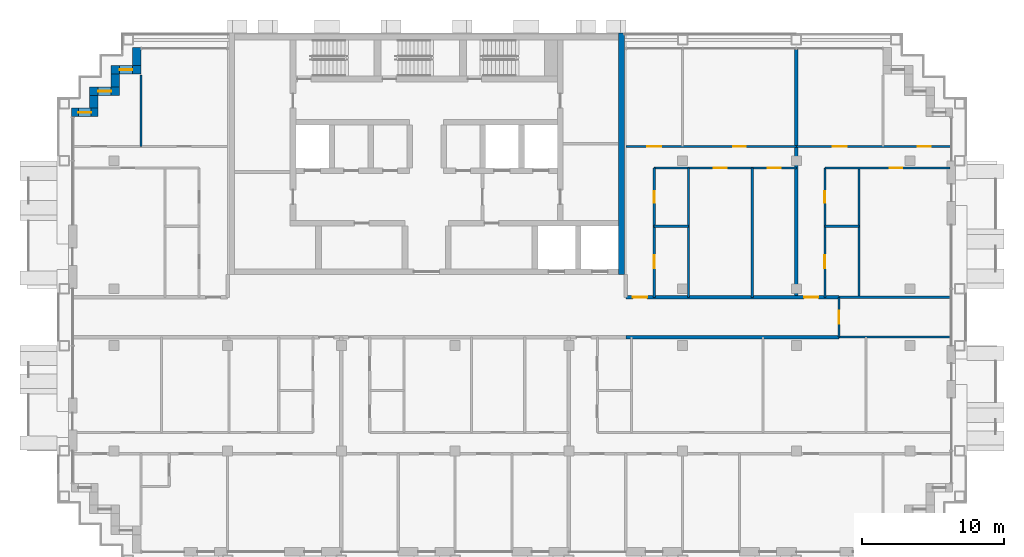
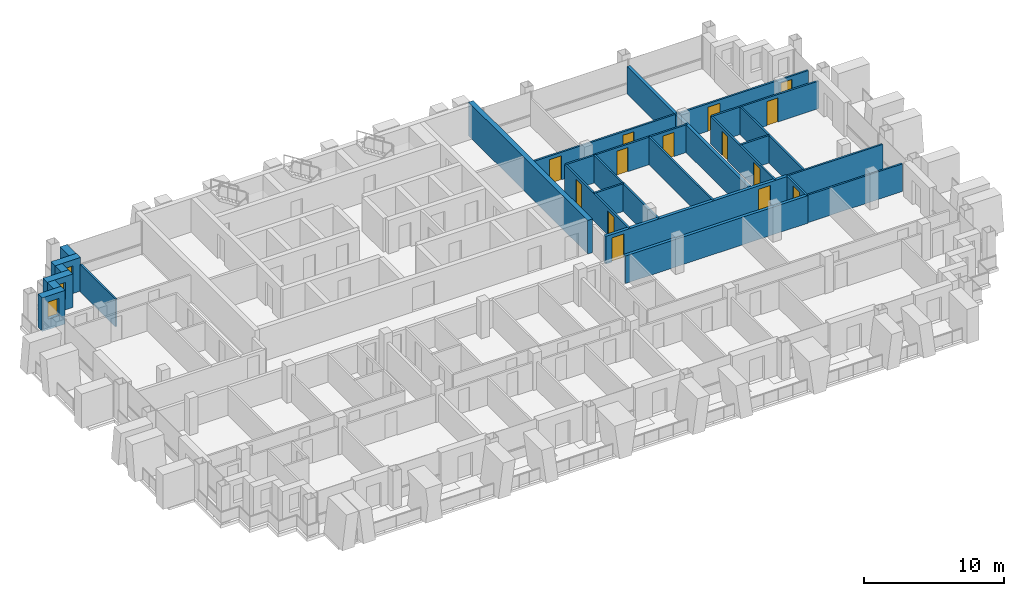
# One storey, part 11 of 16: 25 walls, 14 doors, 3 windows, 17 openings.
"""IFC4 building model written with IfcOpenShell, lengths in metres."""

from ifc_helpers import new_model, si_unit, direction, frame, frame_2d, origin, place, context, subcontext, project, spatial, rectangle, extrude, material, layer, layer_set, type_object, element, fill, save


model = new_model("IFC4")

# Units and contexts
model_context = context("Model", 3, precision=1e-05, world=origin(), true_north=direction((0.0, 1.0)))
body_context = subcontext(model_context, "Body", "Model", "MODEL_VIEW")
ifc_project = project(units=[si_unit("LENGTHUNIT", "METRE"), si_unit("AREAUNIT", "SQUARE_METRE"), si_unit("VOLUMEUNIT", "CUBIC_METRE"), si_unit("PLANEANGLEUNIT", "RADIAN"), si_unit("MASSUNIT", "GRAM", prefix="KILO")], contexts=[model_context])

# Site, building, storey
site_placement = place(None, origin())
site = spatial("IfcSite", under=ifc_project, at=site_placement, CompositionType="ELEMENT")
building_placement = place(site_placement, origin())
building = spatial("IfcBuilding", under=site, at=building_placement, Name="Vidyagriha Tower", CompositionType="ELEMENT")
storey_placement = place(building_placement, frame((0.0, 0.0, 165.300048828125)))
storey = spatial("IfcBuildingStorey", under=building, at=storey_placement, Name="L42", CompositionType="ELEMENT", Elevation=165.300048828125)

# Wall
ifc_material_1 = material(Name="Precast concrete C40/50 with brick facing", Category="concrete")
ifc_layer_1 = layer(ifc_material_1, 0.60009765625)
ifc_layer_set_1 = layer_set([ifc_layer_1], Name="Precast concrete C40/50 with brick facing")
wall_type_1 = type_object("IfcWallType", Name="Brick-faced precast wall 600", PredefinedType="STANDARD", material=ifc_layer_set_1)
wall_1_placement = place(storey_placement, frame((-20.39990234375, 18.97998046875, 0.0), z_axis=(0.0, 0.0, 1.0), x_axis=(0.0, -1.0, 0.0)))
element("IfcWall", 1, at=wall_1_placement, inside=storey, type_object=wall_type_1, Name="Stepped corner wall L42 R10", PredefinedType="STANDARD", context=body_context, shape_type="SweptSolid", body=[
    extrude(rectangle(XDim=1.280029296875, YDim=0.60009765625, at=frame_2d((0.64013671875, 0.0))), origin(), (0.0, 0.0, 1.0), 2.919921875),
])

# Wall, opening, window
wall_2_placement = place(storey_placement, frame((-20.10009765625, 17.39990234375, 0.0), z_axis=(0.0, 0.0, 1.0), x_axis=(-1.0, 0.0, 0.0)))
wall_2 = element("IfcWall", 2, at=wall_2_placement, inside=storey, type_object=wall_type_1, Name="Stepped corner wall L42 R11", PredefinedType="STANDARD", context=body_context, shape_type="SweptSolid", body=[
    extrude(rectangle(XDim=2.099853515625, YDim=0.60009765625, at=frame_2d((1.0498046875, 0.0))), origin(), (0.0, 0.0, 1.0), 2.919921875),
])
opening_1_placement = place(wall_2_placement, frame((0.60009765625, 0.0, 0.89990234375)))
opening_1 = element("IfcOpeningElement", 3, at=opening_1_placement, cuts=wall_2, Name="Opening WN1", PredefinedType="OPENING", context=body_context, shape_type="SweptSolid", body=[
    extrude(rectangle(XDim=0.89990234375, YDim=1.5, at=frame_2d((0.449951171875, 0.75))), frame((0.0, 0.31005859375, 0.0), z_axis=(0.0, -1.0, 0.0), x_axis=(1.0, 0.0, 0.0)), (0.0, 0.0, 1.0), 0.6201171875),
])
ifc_material_2 = material(Name="Aluminium and glass window", Category="aluminium")
window_type = type_object("IfcWindowType", Name="Reveal window 900x1500", PartitioningType="NOTDEFINED", PredefinedType="WINDOW", material=ifc_material_2)
window_1_placement = place(opening_1_placement, origin())
window_1 = element("IfcWindow", 4, at=window_1_placement, inside=storey, type_object=window_type, Name="Reveal window L42 R11", OverallHeight=1.5, OverallWidth=0.89990234375, PartitioningType="SINGLE_PANEL", PredefinedType="WINDOW", context=body_context, shape_type="SweptSolid", body=[
    extrude(rectangle(XDim=0.89990234375, YDim=1.5, at=frame_2d((0.449951171875, 0.75))), frame((0.0, 0.030029296875, 0.0), z_axis=(0.0, -1.0, 0.0), x_axis=(1.0, 0.0, 0.0)), (0.0, 0.0, 1.0), 0.06005859375),
])
fill(opening_1, window_1)

# Wall
wall_3_placement = place(storey_placement, frame((-21.89990234375, 17.10009765625, 0.0), z_axis=(0.0, 0.0, 1.0), x_axis=(0.0, -1.0, 0.0)))
element("IfcWall", 5, at=wall_3_placement, inside=storey, type_object=wall_type_1, Name="Stepped corner wall L42 R12", PredefinedType="STANDARD", context=body_context, shape_type="SweptSolid", body=[
    extrude(rectangle(XDim=0.900146484375, YDim=0.60009765625, at=frame_2d((0.4501953125, 0.0))), origin(), (0.0, 0.0, 1.0), 2.919921875),
])

# Wall, opening, window
wall_4_placement = place(storey_placement, frame((-21.60009765625, 15.89990234375, 0.0), z_axis=(0.0, 0.0, 1.0), x_axis=(-1.0, 0.0, 0.0)))
wall_4 = element("IfcWall", 6, at=wall_4_placement, inside=storey, type_object=wall_type_1, Name="Stepped corner wall L42 R13", PredefinedType="STANDARD", context=body_context, shape_type="SweptSolid", body=[
    extrude(rectangle(XDim=2.099853515625, YDim=0.60009765625, at=frame_2d((1.0498046875, 0.0))), origin(), (0.0, 0.0, 1.0), 2.919921875),
])
opening_2_placement = place(wall_4_placement, frame((0.60009765625, 0.0, 0.89990234375)))
opening_2 = element("IfcOpeningElement", 7, at=opening_2_placement, cuts=wall_4, Name="Opening WN1", PredefinedType="OPENING", context=body_context, shape_type="SweptSolid", body=[
    extrude(rectangle(XDim=0.89990234375, YDim=1.5, at=frame_2d((0.449951171875, 0.75))), frame((0.0, 0.31005859375, 0.0), z_axis=(0.0, -1.0, 0.0), x_axis=(1.0, 0.0, 0.0)), (0.0, 0.0, 1.0), 0.6201171875),
])
window_2_placement = place(opening_2_placement, origin())
window_2 = element("IfcWindow", 8, at=window_2_placement, inside=storey, type_object=window_type, Name="Reveal window L42 R13", OverallHeight=1.5, OverallWidth=0.89990234375, PartitioningType="SINGLE_PANEL", PredefinedType="WINDOW", context=body_context, shape_type="SweptSolid", body=[
    extrude(rectangle(XDim=0.89990234375, YDim=1.5, at=frame_2d((0.449951171875, 0.75))), frame((0.0, 0.030029296875, 0.0), z_axis=(0.0, -1.0, 0.0), x_axis=(1.0, 0.0, 0.0)), (0.0, 0.0, 1.0), 0.06005859375),
])
fill(opening_2, window_2)

# Wall
wall_5_placement = place(storey_placement, frame((-23.39990234375, 15.60009765625, 0.0), z_axis=(0.0, 0.0, 1.0), x_axis=(0.0, -1.0, 0.0)))
element("IfcWall", 9, at=wall_5_placement, inside=storey, type_object=wall_type_1, Name="Stepped corner wall L42 R14", PredefinedType="STANDARD", context=body_context, shape_type="SweptSolid", body=[
    extrude(rectangle(XDim=0.900146484375, YDim=0.60009765625, at=frame_2d((0.4501953125, 0.0))), origin(), (0.0, 0.0, 1.0), 2.919921875),
])

# Wall, opening, window
wall_6_placement = place(storey_placement, frame((-23.10009765625, 14.39990234375, 0.0), z_axis=(0.0, 0.0, 1.0), x_axis=(-1.0, 0.0, 0.0)))
wall_6 = element("IfcWall", 10, at=wall_6_placement, inside=storey, type_object=wall_type_1, Name="Stepped corner wall L42 R15", PredefinedType="STANDARD", context=body_context, shape_type="SweptSolid", body=[
    extrude(rectangle(XDim=1.8798828125, YDim=0.60009765625, at=frame_2d((0.93994140625, 0.0))), origin(), (0.0, 0.0, 1.0), 2.919921875),
])
opening_3_placement = place(wall_6_placement, frame((0.489990234375, 0.0, 0.89990234375)))
opening_3 = element("IfcOpeningElement", 11, at=opening_3_placement, cuts=wall_6, Name="Opening WN1", PredefinedType="OPENING", context=body_context, shape_type="SweptSolid", body=[
    extrude(rectangle(XDim=0.89990234375, YDim=1.5, at=frame_2d((0.449951171875, 0.75))), frame((0.0, 0.31005859375, 0.0), z_axis=(0.0, -1.0, 0.0), x_axis=(1.0, 0.0, 0.0)), (0.0, 0.0, 1.0), 0.6201171875),
])
window_3_placement = place(opening_3_placement, origin())
window_3 = element("IfcWindow", 12, at=window_3_placement, inside=storey, type_object=window_type, Name="Reveal window L42 R15", OverallHeight=1.5, OverallWidth=0.89990234375, PartitioningType="SINGLE_PANEL", PredefinedType="WINDOW", context=body_context, shape_type="SweptSolid", body=[
    extrude(rectangle(XDim=0.89990234375, YDim=1.5, at=frame_2d((0.449951171875, 0.75))), frame((0.0, 0.030029296875, 0.0), z_axis=(0.0, -1.0, 0.0), x_axis=(1.0, 0.0, 0.0)), (0.0, 0.0, 1.0), 0.06005859375),
])
fill(opening_3, window_3)

# Walls
ifc_material_3 = material(Name="Concrete C60/75", Category="concrete")
ifc_layer_2 = layer(ifc_material_3, 0.39990234375)
ifc_layer_set_2 = layer_set([ifc_layer_2], Name="Concrete C60/75")
wall_type_2 = type_object("IfcWallType", Name="Core shear wall 400 mm", PredefinedType="SHEAR", material=ifc_layer_set_2)
wall_7_placement = place(storey_placement, frame((13.699951171875, 3.0, 0.0), z_axis=(0.0, 0.0, 1.0), x_axis=(0.0, 1.0, 0.0)))
element("IfcWall", 13, at=wall_7_placement, inside=storey, type_object=wall_type_2, Name="Core east wall", PredefinedType="SHEAR", context=body_context, shape_type="SweptSolid", body=[
    extrude(rectangle(XDim=17.0, YDim=0.39990234375, at=frame_2d((8.5, 0.0))), origin(), (0.0, 0.0, 1.0), 2.919921875),
])
ifc_material_4 = material(Name="Fired clay brick masonry", Category="masonry")
ifc_layer_3 = layer(ifc_material_4, 0.25)
ifc_layer_set_3 = layer_set([ifc_layer_3], Name="Fired clay brick masonry")
wall_type_3 = type_object("IfcWallType", Name="Fired clay brick corridor wall 250", PredefinedType="PARTITIONING", material=ifc_layer_set_3)
wall_8_placement = place(storey_placement, frame((29.0, -1.39990234375, 0.0), z_axis=(0.0, 0.0, 1.0), x_axis=(-1.0, 0.0, 0.0)))
element("IfcWall", 14, at=wall_8_placement, inside=storey, type_object=wall_type_3, Name="Wall all-L42-w067", PredefinedType="PARTITIONING", context=body_context, shape_type="SweptSolid", body=[
    extrude(rectangle(XDim=15.0, YDim=0.25, at=frame_2d((7.5, 0.0))), origin(), (0.0, 0.0, 1.0), 2.39990234375),
])

# Wall, openings, doors
wall_9_placement = place(storey_placement, frame((14.0, 1.39990234375, 0.0)))
wall_9 = element("IfcWall", 15, at=wall_9_placement, inside=storey, type_object=wall_type_3, Name="Wall all-L42-w109", PredefinedType="PARTITIONING", context=body_context, shape_type="SweptSolid", body=[
    extrude(rectangle(XDim=15.0, YDim=0.25, at=frame_2d((7.5, 0.0))), origin(), (0.0, 0.0, 1.0), 2.39990234375),
])
opening_4_placement = place(wall_9_placement, frame((0.5, 0.0, 0.0)))
opening_4 = element("IfcOpeningElement", 16, at=opening_4_placement, cuts=wall_9, Name="Opening D42-58", PredefinedType="OPENING", context=body_context, shape_type="SweptSolid", body=[
    extrude(rectangle(XDim=1.0, YDim=2.10009765625, at=frame_2d((0.5, 1.050048828125))), frame((0.0, 0.135009765625, 0.0), z_axis=(0.0, -1.0, 0.0), x_axis=(1.0, 0.0, 0.0)), (0.0, 0.0, 1.0), 0.27001953125),
])
opening_5_placement = place(wall_9_placement, frame((12.547119140625, 0.0, 0.0)))
opening_5 = element("IfcOpeningElement", 17, at=opening_5_placement, cuts=wall_9, Name="Opening D42-64", PredefinedType="OPENING", context=body_context, shape_type="SweptSolid", body=[
    extrude(rectangle(XDim=1.0, YDim=2.10009765625, at=frame_2d((0.5, 1.050048828125))), frame((0.0, 0.135009765625, 0.0), z_axis=(0.0, -1.0, 0.0), x_axis=(1.0, 0.0, 0.0)), (0.0, 0.0, 1.0), 0.27001953125),
])
ifc_material_5 = material(Name="Fire-rated timber door leaf EI 60", Category="wood")
door_type_1 = type_object("IfcDoorType", Name="Flat entrance fire door 1000x2100", OperationType="NOTDEFINED", PredefinedType="DOOR", material=ifc_material_5)
door_1_placement = place(opening_4_placement, origin())
door_1 = element("IfcDoor", 18, at=door_1_placement, inside=storey, type_object=door_type_1, Name="Door D42-58", OperationType="SINGLE_SWING_LEFT", OverallHeight=2.10009765625, OverallWidth=1.0, PredefinedType="DOOR", context=body_context, shape_type="SweptSolid", body=[
    extrude(rectangle(XDim=1.0, YDim=2.10009765625, at=frame_2d((0.5, 1.050048828125))), frame((0.0, 0.02490234375, 0.0), z_axis=(0.0, -1.0, 0.0), x_axis=(1.0, 0.0, 0.0)), (0.0, 0.0, 1.0), 0.050048828125),
])
fill(opening_4, door_1)
door_2_placement = place(opening_5_placement, origin())
door_2 = element("IfcDoor", 19, at=door_2_placement, inside=storey, type_object=door_type_1, Name="Door D42-64", OperationType="SINGLE_SWING_LEFT", OverallHeight=2.10009765625, OverallWidth=1.0, PredefinedType="DOOR", context=body_context, shape_type="SweptSolid", body=[
    extrude(rectangle(XDim=1.0, YDim=2.10009765625, at=frame_2d((0.5, 1.050048828125))), frame((0.0, 0.02490234375, 0.0), z_axis=(0.0, -1.0, 0.0), x_axis=(1.0, 0.0, 0.0)), (0.0, 0.0, 1.0), 0.050048828125),
])
fill(opening_5, door_2)

# Walls
ifc_material_6 = material(Name="Fired clay brick masonry", Category="masonry")
ifc_layer_4 = layer(ifc_material_6, 0.25)
ifc_layer_set_4 = layer_set([ifc_layer_4], Name="Fired clay brick masonry")
wall_type_4 = type_object("IfcWallType", Name="Fired clay brick demising wall 250", PredefinedType="PARTITIONING", material=ifc_layer_set_4)
wall_10_placement = place(storey_placement, frame((26.0, 18.821044921875, 0.0), z_axis=(0.0, 0.0, 1.0), x_axis=(0.0, -1.0, 0.0)))
element("IfcWall", 20, at=wall_10_placement, inside=storey, type_object=wall_type_4, Name="Wall all-L42-w108", PredefinedType="PARTITIONING", context=body_context, shape_type="SweptSolid", body=[
    extrude(rectangle(XDim=17.421142578125, YDim=0.25, at=frame_2d((8.71044921875, 0.0))), origin(), (0.0, 0.0, 1.0), 2.39990234375),
])
ifc_material_7 = material(Name="Gypsum board partition")
ifc_layer_5 = layer(ifc_material_7, 0.14990234375)
ifc_layer_set_5 = layer_set([ifc_layer_5], Name="Gypsum board partition")
wall_type_5 = type_object("IfcWallType", Name="Gypsum board partition 150", PredefinedType="PARTITIONING", material=ifc_layer_set_5)
wall_11_placement = place(storey_placement, frame((36.820068359375, -1.39990234375, 0.0), z_axis=(0.0, 0.0, 1.0), x_axis=(-1.0, 0.0, 0.0)))
element("IfcWall", 21, at=wall_11_placement, inside=storey, type_object=wall_type_5, Name="Wall all-L42-w068", PredefinedType="PARTITIONING", context=body_context, shape_type="SweptSolid", body=[
    extrude(rectangle(XDim=7.820068359375, YDim=0.14990234375, at=frame_2d((3.91015625, 0.0))), origin(), (0.0, 0.0, 1.0), 2.39990234375),
])
wall_12_placement = place(storey_placement, frame((-20.10009765625, 17.02001953125, 0.0), z_axis=(0.0, 0.0, 1.0), x_axis=(0.0, -1.0, 0.0)))
element("IfcWall", 22, at=wall_12_placement, inside=storey, type_object=wall_type_5, Name="Wall all-L42-w079", PredefinedType="PARTITIONING", context=body_context, shape_type="SweptSolid", body=[
    extrude(rectangle(XDim=5.02001953125, YDim=0.14990234375, at=frame_2d((2.510009765625, 0.0))), origin(), (0.0, 0.0, 1.0), 2.39990234375),
])
wall_13_placement = place(storey_placement, frame((16.0, 6.39990234375, 0.0)))
element("IfcWall", 23, at=wall_13_placement, inside=storey, type_object=wall_type_5, Name="Wall all-L42-w085", PredefinedType="PARTITIONING", context=body_context, shape_type="SweptSolid", body=[
    extrude(rectangle(XDim=2.39990234375, YDim=0.14990234375, at=frame_2d((1.199951171875, 0.0))), origin(), (0.0, 0.0, 1.0), 2.39990234375),
])
for number, where, z_axis, x_axis, name in (
    (24, (18.39990234375, 10.5, 0.0), (0.0, 0.0, 1.0), (0.0, -1.0, 0.0), "Wall all-L42-w086"),
    (25, (22.89990234375, 10.5, 0.0), (0.0, 0.0, 1.0), (0.0, -1.0, 0.0), "Wall all-L42-w087"),
):
    element("IfcWall", number, at=place(storey_placement, frame(where, z_axis=z_axis, x_axis=x_axis)), inside=storey, type_object=wall_type_5, Name=name, PredefinedType="PARTITIONING", context=body_context, shape_type="SweptSolid", body=[
        extrude(rectangle(XDim=9.10009765625, YDim=0.14990234375, at=frame_2d((4.550048828125, 0.0))), origin(), (0.0, 0.0, 1.0), 2.39990234375),
    ])

# Wall, openings, doors
wall_14_placement = place(storey_placement, frame((26.0, 10.5, 0.0), z_axis=(0.0, 0.0, 1.0), x_axis=(-1.0, 0.0, 0.0)))
wall_14 = element("IfcWall", 26, at=wall_14_placement, inside=storey, type_object=wall_type_5, Name="Wall all-L42-w088", PredefinedType="PARTITIONING", context=body_context, shape_type="SweptSolid", body=[
    extrude(rectangle(XDim=10.0, YDim=0.14990234375, at=frame_2d((5.0, 0.0))), origin(), (0.0, 0.0, 1.0), 2.39990234375),
])
opening_6_placement = place(wall_14_placement, frame((4.89990234375, 0.0, 0.0)))
opening_6 = element("IfcOpeningElement", 27, at=opening_6_placement, cuts=wall_14, Name="Opening D42-54", PredefinedType="OPENING", context=body_context, shape_type="SweptSolid", body=[
    extrude(rectangle(XDim=0.89990234375, YDim=2.10009765625, at=frame_2d((0.449951171875, 1.050048828125))), frame((0.0, 0.0849609375, 0.0), z_axis=(0.0, -1.0, 0.0), x_axis=(1.0, 0.0, 0.0)), (0.0, 0.0, 1.0), 0.169921875),
])
opening_7_placement = place(wall_14_placement, frame((1.10009765625, 0.0, 0.0)))
opening_7 = element("IfcOpeningElement", 28, at=opening_7_placement, cuts=wall_14, Name="Opening D42-55", PredefinedType="OPENING", context=body_context, shape_type="SweptSolid", body=[
    extrude(rectangle(XDim=0.89990234375, YDim=2.10009765625, at=frame_2d((0.449951171875, 1.050048828125))), frame((0.0, 0.0849609375, 0.0), z_axis=(0.0, -1.0, 0.0), x_axis=(1.0, 0.0, 0.0)), (0.0, 0.0, 1.0), 0.169921875),
])
ifc_material_8 = material(Name="Timber door leaf", Category="wood")
door_type_2 = type_object("IfcDoorType", Name="Room door 900x2100", OperationType="NOTDEFINED", PredefinedType="DOOR", material=ifc_material_8)
door_3_placement = place(opening_6_placement, origin())
door_3 = element("IfcDoor", 29, at=door_3_placement, inside=storey, type_object=door_type_2, Name="Door D42-54", OperationType="SINGLE_SWING_RIGHT", OverallHeight=2.10009765625, OverallWidth=0.89990234375, PredefinedType="DOOR", context=body_context, shape_type="SweptSolid", body=[
    extrude(rectangle(XDim=0.89990234375, YDim=2.10009765625, at=frame_2d((0.449951171875, 1.050048828125))), frame((0.0, 0.02490234375, 0.0), z_axis=(0.0, -1.0, 0.0), x_axis=(1.0, 0.0, 0.0)), (0.0, 0.0, 1.0), 0.050048828125),
])
fill(opening_6, door_3)
door_4_placement = place(opening_7_placement, origin())
door_4 = element("IfcDoor", 30, at=door_4_placement, inside=storey, type_object=door_type_2, Name="Door D42-55", OperationType="SINGLE_SWING_RIGHT", OverallHeight=2.10009765625, OverallWidth=0.89990234375, PredefinedType="DOOR", context=body_context, shape_type="SweptSolid", body=[
    extrude(rectangle(XDim=0.89990234375, YDim=2.10009765625, at=frame_2d((0.449951171875, 1.050048828125))), frame((0.0, 0.02490234375, 0.0), z_axis=(0.0, -1.0, 0.0), x_axis=(1.0, 0.0, 0.0)), (0.0, 0.0, 1.0), 0.050048828125),
])
fill(opening_7, door_4)

wall_15_placement = place(storey_placement, frame((14.0, 12.0, 0.0)))
wall_15 = element("IfcWall", 31, at=wall_15_placement, inside=storey, type_object=wall_type_5, Name="Wall all-L42-w091", PredefinedType="PARTITIONING", context=body_context, shape_type="SweptSolid", body=[
    extrude(rectangle(XDim=12.0, YDim=0.14990234375, at=frame_2d((6.0, 0.0))), origin(), (0.0, 0.0, 1.0), 2.39990234375),
])
opening_8_placement = place(wall_15_placement, frame((1.5, 0.0, 0.0)))
opening_8 = element("IfcOpeningElement", 32, at=opening_8_placement, cuts=wall_15, Name="Opening D42-56", PredefinedType="OPENING", context=body_context, shape_type="SweptSolid", body=[
    extrude(rectangle(XDim=1.0, YDim=2.10009765625, at=frame_2d((0.5, 1.050048828125))), frame((0.0, 0.0849609375, 0.0), z_axis=(0.0, -1.0, 0.0), x_axis=(1.0, 0.0, 0.0)), (0.0, 0.0, 1.0), 0.169921875),
])
opening_9_placement = place(wall_15_placement, frame((7.550048828125, 0.0, 0.0)))
opening_9 = element("IfcOpeningElement", 33, at=opening_9_placement, cuts=wall_15, Name="Opening D42-57", PredefinedType="OPENING", context=body_context, shape_type="SweptSolid", body=[
    extrude(rectangle(XDim=0.89990234375, YDim=2.10009765625, at=frame_2d((0.449951171875, 1.050048828125))), frame((0.0, 0.0849609375, 0.0), z_axis=(0.0, -1.0, 0.0), x_axis=(1.0, 0.0, 0.0)), (0.0, 0.0, 1.0), 0.169921875),
])
ifc_material_9 = material(Name="Timber door leaf", Category="wood")
door_type_3 = type_object("IfcDoorType", Name="Room door 1000x2100", OperationType="NOTDEFINED", PredefinedType="DOOR", material=ifc_material_9)
door_5_placement = place(opening_8_placement, origin())
door_5 = element("IfcDoor", 34, at=door_5_placement, inside=storey, type_object=door_type_3, Name="Door D42-56", OperationType="SINGLE_SWING_RIGHT", OverallHeight=2.10009765625, OverallWidth=1.0, PredefinedType="DOOR", context=body_context, shape_type="SweptSolid", body=[
    extrude(rectangle(XDim=1.0, YDim=2.10009765625, at=frame_2d((0.5, 1.050048828125))), frame((0.0, 0.02490234375, 0.0), z_axis=(0.0, -1.0, 0.0), x_axis=(1.0, 0.0, 0.0)), (0.0, 0.0, 1.0), 0.050048828125),
])
fill(opening_8, door_5)
door_6_placement = place(opening_9_placement, origin())
door_6 = element("IfcDoor", 35, at=door_6_placement, inside=storey, type_object=door_type_2, Name="Door D42-57", OperationType="SINGLE_SWING_RIGHT", OverallHeight=2.10009765625, OverallWidth=0.89990234375, PredefinedType="DOOR", context=body_context, shape_type="SweptSolid", body=[
    extrude(rectangle(XDim=0.89990234375, YDim=2.10009765625, at=frame_2d((0.449951171875, 1.050048828125))), frame((0.0, 0.02490234375, 0.0), z_axis=(0.0, -1.0, 0.0), x_axis=(1.0, 0.0, 0.0)), (0.0, 0.0, 1.0), 0.050048828125),
])
fill(opening_9, door_6)

# Walls
wall_16_placement = place(storey_placement, frame((28.0, 6.39990234375, 0.0)))
element("IfcWall", 36, at=wall_16_placement, inside=storey, type_object=wall_type_5, Name="Wall all-L42-w099", PredefinedType="PARTITIONING", context=body_context, shape_type="SweptSolid", body=[
    extrude(rectangle(XDim=2.39990234375, YDim=0.14990234375, at=frame_2d((1.199951171875, 0.0))), origin(), (0.0, 0.0, 1.0), 2.39990234375),
])
wall_17_placement = place(storey_placement, frame((30.39990234375, 10.5, 0.0), z_axis=(0.0, 0.0, 1.0), x_axis=(0.0, -1.0, 0.0)))
element("IfcWall", 37, at=wall_17_placement, inside=storey, type_object=wall_type_5, Name="Wall all-L42-w100", PredefinedType="PARTITIONING", context=body_context, shape_type="SweptSolid", body=[
    extrude(rectangle(XDim=9.10009765625, YDim=0.14990234375, at=frame_2d((4.550048828125, 0.0))), origin(), (0.0, 0.0, 1.0), 2.39990234375),
])

# Wall, opening, door
wall_18_placement = place(storey_placement, frame((36.81005859375, 10.5, 0.0), z_axis=(0.0, 0.0, 1.0), x_axis=(-1.0, 0.0, 0.0)))
wall_18 = element("IfcWall", 38, at=wall_18_placement, inside=storey, type_object=wall_type_5, Name="Wall all-L42-w101", PredefinedType="PARTITIONING", context=body_context, shape_type="SweptSolid", body=[
    extrude(rectangle(XDim=8.81005859375, YDim=0.14990234375, at=frame_2d((4.405029296875, 0.0))), origin(), (0.0, 0.0, 1.0), 2.39990234375),
])
opening_10_placement = place(wall_18_placement, frame((3.35693359375, 0.0, 0.0)))
opening_10 = element("IfcOpeningElement", 39, at=opening_10_placement, cuts=wall_18, Name="Opening D42-61", PredefinedType="OPENING", context=body_context, shape_type="SweptSolid", body=[
    extrude(rectangle(XDim=0.89990234375, YDim=2.10009765625, at=frame_2d((0.449951171875, 1.050048828125))), frame((0.0, 0.0849609375, 0.0), z_axis=(0.0, -1.0, 0.0), x_axis=(1.0, 0.0, 0.0)), (0.0, 0.0, 1.0), 0.169921875),
])
door_7_placement = place(opening_10_placement, origin())
door_7 = element("IfcDoor", 40, at=door_7_placement, inside=storey, type_object=door_type_2, Name="Door D42-61", OperationType="SINGLE_SWING_RIGHT", OverallHeight=2.10009765625, OverallWidth=0.89990234375, PredefinedType="DOOR", context=body_context, shape_type="SweptSolid", body=[
    extrude(rectangle(XDim=0.89990234375, YDim=2.10009765625, at=frame_2d((0.449951171875, 1.050048828125))), frame((0.0, 0.02490234375, 0.0), z_axis=(0.0, -1.0, 0.0), x_axis=(1.0, 0.0, 0.0)), (0.0, 0.0, 1.0), 0.050048828125),
])
fill(opening_10, door_7)

# Wall, openings, doors
wall_19_placement = place(storey_placement, frame((26.0, 12.0, 0.0)))
wall_19 = element("IfcWall", 41, at=wall_19_placement, inside=storey, type_object=wall_type_5, Name="Wall all-L42-w103", PredefinedType="PARTITIONING", context=body_context, shape_type="SweptSolid", body=[
    extrude(rectangle(XDim=10.820068359375, YDim=0.14990234375, at=frame_2d((5.41015625, 0.0))), origin(), (0.0, 0.0, 1.0), 2.39990234375),
])
opening_11_placement = place(wall_19_placement, frame((2.550048828125, 0.0, 0.0)))
opening_11 = element("IfcOpeningElement", 42, at=opening_11_placement, cuts=wall_19, Name="Opening D42-62", PredefinedType="OPENING", context=body_context, shape_type="SweptSolid", body=[
    extrude(rectangle(XDim=1.0, YDim=2.10009765625, at=frame_2d((0.5, 1.050048828125))), frame((0.0, 0.0849609375, 0.0), z_axis=(0.0, -1.0, 0.0), x_axis=(1.0, 0.0, 0.0)), (0.0, 0.0, 1.0), 0.169921875),
])
opening_12_placement = place(wall_19_placement, frame((8.547119140625, 0.0, 0.0)))
opening_12 = element("IfcOpeningElement", 43, at=opening_12_placement, cuts=wall_19, Name="Opening D42-63", PredefinedType="OPENING", context=body_context, shape_type="SweptSolid", body=[
    extrude(rectangle(XDim=0.89990234375, YDim=2.10009765625, at=frame_2d((0.449951171875, 1.050048828125))), frame((0.0, 0.0849609375, 0.0), z_axis=(0.0, -1.0, 0.0), x_axis=(1.0, 0.0, 0.0)), (0.0, 0.0, 1.0), 0.169921875),
])
door_8_placement = place(opening_11_placement, origin())
door_8 = element("IfcDoor", 44, at=door_8_placement, inside=storey, type_object=door_type_3, Name="Door D42-62", OperationType="SINGLE_SWING_RIGHT", OverallHeight=2.10009765625, OverallWidth=1.0, PredefinedType="DOOR", context=body_context, shape_type="SweptSolid", body=[
    extrude(rectangle(XDim=1.0, YDim=2.10009765625, at=frame_2d((0.5, 1.050048828125))), frame((0.0, 0.02490234375, 0.0), z_axis=(0.0, -1.0, 0.0), x_axis=(1.0, 0.0, 0.0)), (0.0, 0.0, 1.0), 0.050048828125),
])
fill(opening_11, door_8)
door_9_placement = place(opening_12_placement, origin())
door_9 = element("IfcDoor", 45, at=door_9_placement, inside=storey, type_object=door_type_2, Name="Door D42-63", OperationType="SINGLE_SWING_RIGHT", OverallHeight=2.10009765625, OverallWidth=0.89990234375, PredefinedType="DOOR", context=body_context, shape_type="SweptSolid", body=[
    extrude(rectangle(XDim=0.89990234375, YDim=2.10009765625, at=frame_2d((0.449951171875, 1.050048828125))), frame((0.0, 0.02490234375, 0.0), z_axis=(0.0, -1.0, 0.0), x_axis=(1.0, 0.0, 0.0)), (0.0, 0.0, 1.0), 0.050048828125),
])
fill(opening_12, door_9)

# Wall
wall_20_placement = place(storey_placement, frame((29.0, 1.39990234375, 0.0)))
element("IfcWall", 46, at=wall_20_placement, inside=storey, type_object=wall_type_5, Name="Wall all-L42-w110", PredefinedType="PARTITIONING", context=body_context, shape_type="SweptSolid", body=[
    extrude(rectangle(XDim=7.820068359375, YDim=0.14990234375, at=frame_2d((3.91015625, 0.0))), origin(), (0.0, 0.0, 1.0), 2.39990234375),
])

# Wall, opening, door
wall_21_placement = place(storey_placement, frame((29.0, -1.39990234375, 0.0), z_axis=(0.0, 0.0, 1.0), x_axis=(0.0, 1.0, 0.0)))
wall_21 = element("IfcWall", 47, at=wall_21_placement, inside=storey, type_object=wall_type_5, Name="Wall all-L42-w111", PredefinedType="PARTITIONING", context=body_context, shape_type="SweptSolid", body=[
    extrude(rectangle(XDim=2.7998046875, YDim=0.14990234375, at=frame_2d((1.39990234375, 0.0))), origin(), (0.0, 0.0, 1.0), 2.39990234375),
])
opening_13_placement = place(wall_21_placement, frame((0.949951171875, 0.0, 0.0)))
opening_13 = element("IfcOpeningElement", 48, at=opening_13_placement, cuts=wall_21, Name="Opening D42-65", PredefinedType="OPENING", context=body_context, shape_type="SweptSolid", body=[
    extrude(rectangle(XDim=0.89990234375, YDim=2.10009765625, at=frame_2d((0.449951171875, 1.050048828125))), frame((0.0, 0.0849609375, 0.0), z_axis=(0.0, -1.0, 0.0), x_axis=(1.0, 0.0, 0.0)), (0.0, 0.0, 1.0), 0.169921875),
])
door_10_placement = place(opening_13_placement, origin())
door_10 = element("IfcDoor", 49, at=door_10_placement, inside=storey, type_object=door_type_2, Name="Door D42-65", OperationType="SINGLE_SWING_RIGHT", OverallHeight=2.10009765625, OverallWidth=0.89990234375, PredefinedType="DOOR", context=body_context, shape_type="SweptSolid", body=[
    extrude(rectangle(XDim=0.89990234375, YDim=2.10009765625, at=frame_2d((0.449951171875, 1.050048828125))), frame((0.0, 0.02490234375, 0.0), z_axis=(0.0, -1.0, 0.0), x_axis=(1.0, 0.0, 0.0)), (0.0, 0.0, 1.0), 0.050048828125),
])
fill(opening_13, door_10)

# Wall, openings, doors
ifc_material_10 = material(Name="Moisture resistant gypsum board partition")
ifc_layer_6 = layer(ifc_material_10, 0.14990234375)
ifc_layer_set_6 = layer_set([ifc_layer_6], Name="Moisture resistant gypsum board partition")
wall_type_6 = type_object("IfcWallType", Name="Gypsum board wet-area partition 150", PredefinedType="PARTITIONING", material=ifc_layer_set_6)
wall_22_placement = place(storey_placement, frame((16.0, 10.5, 0.0), z_axis=(0.0, 0.0, 1.0), x_axis=(0.0, -1.0, 0.0)))
wall_22 = element("IfcWall", 50, at=wall_22_placement, inside=storey, type_object=wall_type_6, Name="Wall all-L42-w082", PredefinedType="PARTITIONING", context=body_context, shape_type="SweptSolid", body=[
    extrude(rectangle(XDim=9.10009765625, YDim=0.14990234375, at=frame_2d((4.550048828125, 0.0))), origin(), (0.0, 0.0, 1.0), 2.39990234375),
])
opening_14_placement = place(wall_22_placement, frame((6.14990234375, 0.0, 0.0)))
opening_14 = element("IfcOpeningElement", 51, at=opening_14_placement, cuts=wall_22, Name="Opening D42-52", PredefinedType="OPENING", context=body_context, shape_type="SweptSolid", body=[
    extrude(rectangle(XDim=0.89990234375, YDim=2.10009765625, at=frame_2d((0.449951171875, 1.050048828125))), frame((0.0, 0.0849609375, 0.0), z_axis=(0.0, -1.0, 0.0), x_axis=(1.0, 0.0, 0.0)), (0.0, 0.0, 1.0), 0.169921875),
])
opening_15_placement = place(wall_22_placement, frame((1.64990234375, 0.0, 0.0)))
opening_15 = element("IfcOpeningElement", 52, at=opening_15_placement, cuts=wall_22, Name="Opening D42-53", PredefinedType="OPENING", context=body_context, shape_type="SweptSolid", body=[
    extrude(rectangle(XDim=0.800048828125, YDim=2.10009765625, at=frame_2d((0.39990234375, 1.050048828125))), frame((0.0, 0.0849609375, 0.0), z_axis=(0.0, -1.0, 0.0), x_axis=(1.0, 0.0, 0.0)), (0.0, 0.0, 1.0), 0.169921875),
])
ifc_material_11 = material(Name="Timber door leaf", Category="wood")
door_type_4 = type_object("IfcDoorType", Name="Bathroom door 800x2100", OperationType="NOTDEFINED", PredefinedType="DOOR", material=ifc_material_11)
door_11_placement = place(opening_15_placement, origin())
door_11 = element("IfcDoor", 53, at=door_11_placement, inside=storey, type_object=door_type_4, Name="Door D42-53", OperationType="SINGLE_SWING_RIGHT", OverallHeight=2.10009765625, OverallWidth=0.800048828125, PredefinedType="DOOR", context=body_context, shape_type="SweptSolid", body=[
    extrude(rectangle(XDim=0.800048828125, YDim=2.10009765625, at=frame_2d((0.39990234375, 1.050048828125))), frame((0.0, 0.02490234375, 0.0), z_axis=(0.0, -1.0, 0.0), x_axis=(1.0, 0.0, 0.0)), (0.0, 0.0, 1.0), 0.050048828125),
])
fill(opening_15, door_11)
ifc_material_12 = material(Name="Timber door leaf", Category="wood")
door_type_5 = type_object("IfcDoorType", Name="Kitchen door 900x2100", OperationType="NOTDEFINED", PredefinedType="DOOR", material=ifc_material_12)
door_12_placement = place(opening_14_placement, origin())
door_12 = element("IfcDoor", 54, at=door_12_placement, inside=storey, type_object=door_type_5, Name="Door D42-52", OperationType="SINGLE_SWING_LEFT", OverallHeight=2.10009765625, OverallWidth=0.89990234375, PredefinedType="DOOR", context=body_context, shape_type="SweptSolid", body=[
    extrude(rectangle(XDim=0.89990234375, YDim=2.10009765625, at=frame_2d((0.449951171875, 1.050048828125))), frame((0.0, 0.02490234375, 0.0), z_axis=(0.0, -1.0, 0.0), x_axis=(1.0, 0.0, 0.0)), (0.0, 0.0, 1.0), 0.050048828125),
])
fill(opening_14, door_12)

wall_23_placement = place(storey_placement, frame((28.0, 10.5, 0.0), z_axis=(0.0, 0.0, 1.0), x_axis=(0.0, -1.0, 0.0)))
wall_23 = element("IfcWall", 55, at=wall_23_placement, inside=storey, type_object=wall_type_6, Name="Wall all-L42-w096", PredefinedType="PARTITIONING", context=body_context, shape_type="SweptSolid", body=[
    extrude(rectangle(XDim=9.10009765625, YDim=0.14990234375, at=frame_2d((4.550048828125, 0.0))), origin(), (0.0, 0.0, 1.0), 2.39990234375),
])
opening_16_placement = place(wall_23_placement, frame((6.14990234375, 0.0, 0.0)))
opening_16 = element("IfcOpeningElement", 56, at=opening_16_placement, cuts=wall_23, Name="Opening D42-59", PredefinedType="OPENING", context=body_context, shape_type="SweptSolid", body=[
    extrude(rectangle(XDim=0.89990234375, YDim=2.10009765625, at=frame_2d((0.449951171875, 1.050048828125))), frame((0.0, 0.0849609375, 0.0), z_axis=(0.0, -1.0, 0.0), x_axis=(1.0, 0.0, 0.0)), (0.0, 0.0, 1.0), 0.169921875),
])
opening_17_placement = place(wall_23_placement, frame((1.64990234375, 0.0, 0.0)))
opening_17 = element("IfcOpeningElement", 57, at=opening_17_placement, cuts=wall_23, Name="Opening D42-60", PredefinedType="OPENING", context=body_context, shape_type="SweptSolid", body=[
    extrude(rectangle(XDim=0.800048828125, YDim=2.10009765625, at=frame_2d((0.39990234375, 1.050048828125))), frame((0.0, 0.0849609375, 0.0), z_axis=(0.0, -1.0, 0.0), x_axis=(1.0, 0.0, 0.0)), (0.0, 0.0, 1.0), 0.169921875),
])
door_13_placement = place(opening_17_placement, origin())
door_13 = element("IfcDoor", 58, at=door_13_placement, inside=storey, type_object=door_type_4, Name="Door D42-60", OperationType="SINGLE_SWING_RIGHT", OverallHeight=2.10009765625, OverallWidth=0.800048828125, PredefinedType="DOOR", context=body_context, shape_type="SweptSolid", body=[
    extrude(rectangle(XDim=0.800048828125, YDim=2.10009765625, at=frame_2d((0.39990234375, 1.050048828125))), frame((0.0, 0.02490234375, 0.0), z_axis=(0.0, -1.0, 0.0), x_axis=(1.0, 0.0, 0.0)), (0.0, 0.0, 1.0), 0.050048828125),
])
fill(opening_17, door_13)
door_14_placement = place(opening_16_placement, origin())
door_14 = element("IfcDoor", 59, at=door_14_placement, inside=storey, type_object=door_type_5, Name="Door D42-59", OperationType="SINGLE_SWING_LEFT", OverallHeight=2.10009765625, OverallWidth=0.89990234375, PredefinedType="DOOR", context=body_context, shape_type="SweptSolid", body=[
    extrude(rectangle(XDim=0.89990234375, YDim=2.10009765625, at=frame_2d((0.449951171875, 1.050048828125))), frame((0.0, 0.02490234375, 0.0), z_axis=(0.0, -1.0, 0.0), x_axis=(1.0, 0.0, 0.0)), (0.0, 0.0, 1.0), 0.050048828125),
])
fill(opening_16, door_14)

save(model, "model.ifc")
